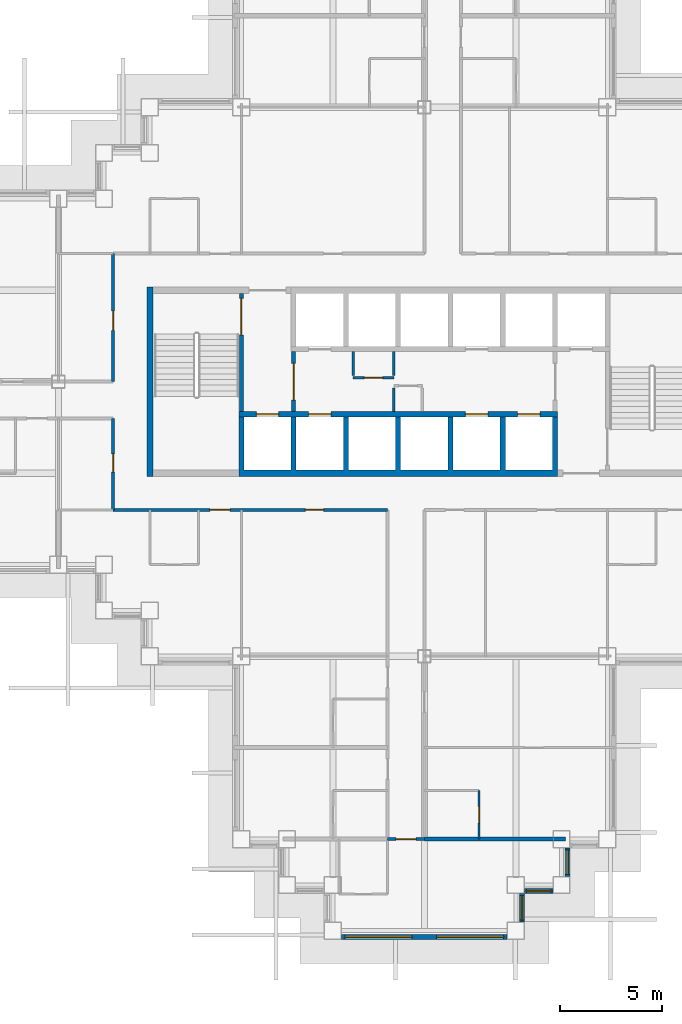
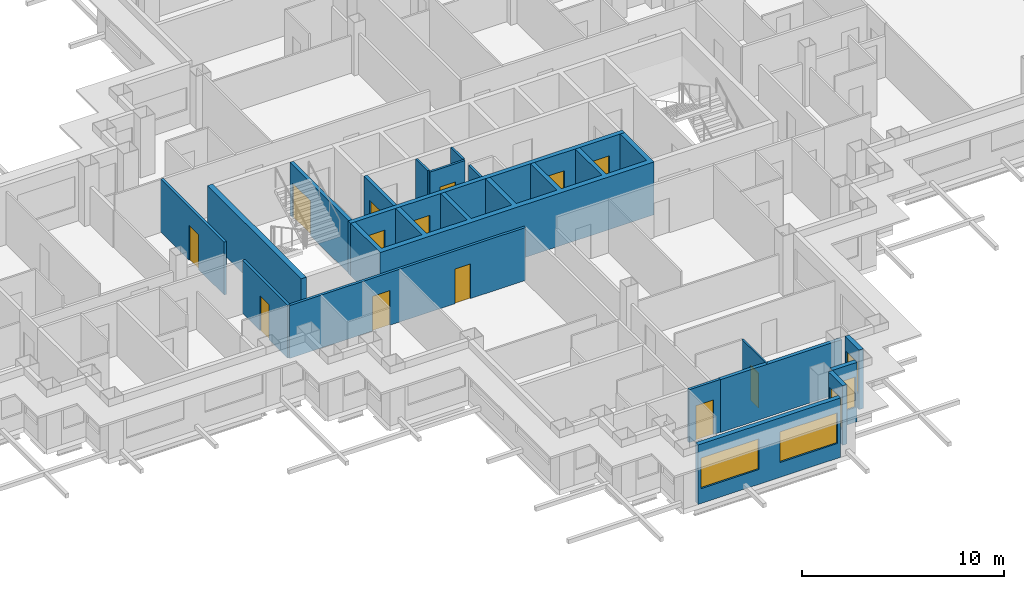
# One storey, part 6 of 17: 19 walls, 13 doors, 5 windows, 18 openings.
"""IFC4 building model written with IfcOpenShell, lengths in metres."""

from ifc_helpers import new_model, si_unit, direction, frame, frame_2d, origin, place, context, subcontext, project, spatial, polyline, rectangle, outline, extrude, material, layer, layer_set, type_object, element, fill, save


model = new_model("IFC4")

# Units and contexts
model_context = context("Model", 3, precision=1e-05, world=origin(), true_north=direction((0.0, 1.0)))
body_context = subcontext(model_context, "Body", "Model", "MODEL_VIEW")
ifc_project = project(units=[si_unit("LENGTHUNIT", "METRE"), si_unit("AREAUNIT", "SQUARE_METRE"), si_unit("VOLUMEUNIT", "CUBIC_METRE"), si_unit("PLANEANGLEUNIT", "RADIAN"), si_unit("MASSUNIT", "GRAM", prefix="KILO")], contexts=[model_context])

# Site, building, storey
site_placement = place(None, origin())
site = spatial("IfcSite", under=ifc_project, at=site_placement, CompositionType="ELEMENT")
building_placement = place(site_placement, origin())
building = spatial("IfcBuilding", under=site, at=building_placement, Name="Caravel Reach Hotel and Residences", CompositionType="ELEMENT")
storey_placement = place(building_placement, frame((0.0, 0.0, 136.800048828125)))
storey = spatial("IfcBuildingStorey", under=building, at=storey_placement, Name="L34", CompositionType="ELEMENT", Elevation=136.800048828125)

# Wall, opening, door
ifc_material_1 = material(Name="Gypsum board on steel stud", Category="steel")
ifc_layer_1 = layer(ifc_material_1, 0.10009765625)
ifc_layer_set_1 = layer_set([ifc_layer_1], Name="Bathroom pod wall 100 mm")
wall_type_1 = type_object("IfcWallType", Name="Bathroom pod wall 100 mm", PredefinedType="PARTITIONING", material=ifc_layer_set_1)
wall_1_placement = place(storey_placement, frame((34.199951171875, 4.5, 0.0), z_axis=(0.0, 0.0, 1.0), x_axis=(0.0, 1.0, 0.0)))
wall_1 = element("IfcWall", 1, at=wall_1_placement, inside=storey, type_object=wall_type_1, Name="L34 wall w112", PredefinedType="PARTITIONING", context=body_context, shape_type="SweptSolid", body=[
    extrude(rectangle(XDim=2.39990234375, YDim=0.10009765625, at=frame_2d((1.199951171875, 0.0))), origin(), (0.0, 0.0, 1.0), 3.199951171875),
])
opening_1_placement = place(wall_1_placement, frame((0.800048828125, 0.0, 0.0)))
opening_1 = element("IfcOpeningElement", 2, at=opening_1_placement, cuts=wall_1, Name="Opening D34-041", PredefinedType="OPENING", context=body_context, shape_type="SweptSolid", body=[
    extrude(rectangle(XDim=0.800048828125, YDim=2.10009765625, at=frame_2d((0.39990234375, 1.050048828125))), frame((0.0, 0.06005859375, 0.0), z_axis=(0.0, -1.0, 0.0), x_axis=(1.0, 0.0, 0.0)), (0.0, 0.0, 1.0), 0.1201171875),
])
ifc_material_2 = material(Name="Timber and steel door leaf", Category="steel")
door_type_1 = type_object("IfcDoorType", Name="Bathroom door 800 x 2100", OperationType="SINGLE_SWING_LEFT", PredefinedType="DOOR", material=ifc_material_2)
door_1_placement = place(opening_1_placement, origin())
door_1 = element("IfcDoor", 3, at=door_1_placement, inside=storey, type_object=door_type_1, Name="door D34-041", OperationType="SINGLE_SWING_LEFT", OverallHeight=2.10009765625, OverallWidth=0.800048828125, PredefinedType="DOOR", context=body_context, shape_type="SweptSolid", body=[
    extrude(rectangle(XDim=0.800048828125, YDim=2.10009765625, at=frame_2d((0.39990234375, 1.050048828125))), frame((0.0, 0.02490234375, 0.0), z_axis=(0.0, -1.0, 0.0), x_axis=(1.0, 0.0, 0.0)), (0.0, 0.0, 1.0), 0.050048828125),
])
fill(opening_1, door_1)

# Wall
ifc_material_3 = material(Name="Concrete C60", Category="concrete")
ifc_layer_2 = layer(ifc_material_3, 0.300048828125)
ifc_layer_set_2 = layer_set([ifc_layer_2], Name="Core wall 300 mm EI 120")
wall_type_2 = type_object("IfcWallType", Name="Core wall 300 mm EI 120", PredefinedType="SHEAR", material=ifc_layer_set_2)
wall_2_placement = place(storey_placement, frame((18.0, 22.35009765625, 0.0), z_axis=(0.0, 0.0, 1.0), x_axis=(0.0, 1.0, 0.0)))
element("IfcWall", 4, at=wall_2_placement, inside=storey, type_object=wall_type_2, Name="L34 core wall W", PredefinedType="SHEAR", context=body_context, shape_type="SweptSolid", body=[
    extrude(rectangle(XDim=9.2998046875, YDim=0.300048828125, at=frame_2d((4.64990234375, 0.0))), origin(), (0.0, 0.0, 1.0), 3.199951171875),
])

# Wall, openings, doors
ifc_material_4 = material(Name="Gypsum board on steel stud, fire-rated", Category="steel")
ifc_layer_3 = layer(ifc_material_4, 0.14990234375)
ifc_layer_set_3 = layer_set([ifc_layer_3], Name="Corridor wall 150 mm EI 60")
wall_type_3 = type_object("IfcWallType", Name="Corridor wall 150 mm EI 60", PredefinedType="PARTITIONING", material=ifc_layer_set_3)
wall_3_placement = place(storey_placement, frame((16.199951171875, 20.699951171875, 0.0), z_axis=(0.0, 0.0, 1.0), x_axis=(1.0, 0.0, 0.0)))
wall_3 = element("IfcWall", 5, at=wall_3_placement, inside=storey, type_object=wall_type_3, Name="L34 wall w001", PredefinedType="PARTITIONING", context=body_context, shape_type="SweptSolid", body=[
    extrude(rectangle(XDim=13.5, YDim=0.14990234375, at=frame_2d((6.75, 0.0))), origin(), (0.0, 0.0, 1.0), 3.199951171875),
])
opening_2_placement = place(wall_3_placement, frame((4.75, 0.0, 0.0)))
opening_2 = element("IfcOpeningElement", 6, at=opening_2_placement, cuts=wall_3, Name="Opening D34-052", PredefinedType="OPENING", context=body_context, shape_type="SweptSolid", body=[
    extrude(rectangle(XDim=1.0, YDim=2.10009765625, at=frame_2d((0.5, 1.050048828125))), frame((0.0, 0.0849609375, 0.0), z_axis=(0.0, -1.0, 0.0), x_axis=(1.0, 0.0, 0.0)), (0.0, 0.0, 1.0), 0.169921875),
])
opening_3_placement = place(wall_3_placement, frame((9.449951171875, 0.0, 0.0)))
opening_3 = element("IfcOpeningElement", 7, at=opening_3_placement, cuts=wall_3, Name="Opening D34-060", PredefinedType="OPENING", context=body_context, shape_type="SweptSolid", body=[
    extrude(rectangle(XDim=0.89990234375, YDim=2.10009765625, at=frame_2d((0.449951171875, 1.050048828125))), frame((0.0, 0.0849609375, 0.0), z_axis=(0.0, -1.0, 0.0), x_axis=(1.0, 0.0, 0.0)), (0.0, 0.0, 1.0), 0.169921875),
])
ifc_material_5 = material(Name="Timber and steel door leaf", Category="steel")
door_type_2 = type_object("IfcDoorType", Name="Door 900 x 2100 timber", OperationType="SINGLE_SWING_LEFT", PredefinedType="DOOR", material=ifc_material_5)
door_2_placement = place(opening_3_placement, origin())
door_2 = element("IfcDoor", 8, at=door_2_placement, inside=storey, type_object=door_type_2, Name="door D34-060", OperationType="SINGLE_SWING_RIGHT", OverallHeight=2.10009765625, OverallWidth=0.89990234375, PredefinedType="DOOR", context=body_context, shape_type="SweptSolid", body=[
    extrude(rectangle(XDim=0.89990234375, YDim=2.10009765625, at=frame_2d((0.449951171875, 1.050048828125))), frame((0.0, 0.02490234375, 0.0), z_axis=(0.0, -1.0, 0.0), x_axis=(1.0, 0.0, 0.0)), (0.0, 0.0, 1.0), 0.050048828125),
])
fill(opening_3, door_2)
ifc_material_6 = material(Name="Steel fire door leaf", Category="steel")
door_type_3 = type_object("IfcDoorType", Name="Guest room door 1000 x 2100 EI 30", OperationType="SINGLE_SWING_LEFT", PredefinedType="DOOR", material=ifc_material_6)
door_3_placement = place(opening_2_placement, origin())
door_3 = element("IfcDoor", 9, at=door_3_placement, inside=storey, type_object=door_type_3, Name="door D34-052", OperationType="SINGLE_SWING_RIGHT", OverallHeight=2.10009765625, OverallWidth=1.0, PredefinedType="DOOR", context=body_context, shape_type="SweptSolid", body=[
    extrude(rectangle(XDim=1.0, YDim=2.10009765625, at=frame_2d((0.5, 1.050048828125))), frame((0.0, 0.02490234375, 0.0), z_axis=(0.0, -1.0, 0.0), x_axis=(1.0, 0.0, 0.0)), (0.0, 0.0, 1.0), 0.050048828125),
])
fill(opening_2, door_3)

# Wall, opening, door
wall_4_placement = place(storey_placement, frame((29.699951171875, 4.5, 0.0), z_axis=(0.0, 0.0, 1.0), x_axis=(1.0, 0.0, 0.0)))
wall_4 = element("IfcWall", 10, at=wall_4_placement, inside=storey, type_object=wall_type_3, Name="L34 wall w022", PredefinedType="PARTITIONING", context=body_context, shape_type="SweptSolid", body=[
    extrude(rectangle(XDim=1.800048828125, YDim=0.14990234375, at=frame_2d((0.89990234375, 0.0))), origin(), (0.0, 0.0, 1.0), 3.199951171875),
])
opening_4_placement = place(wall_4_placement, frame((0.39990234375, 0.0, 0.0)))
opening_4 = element("IfcOpeningElement", 11, at=opening_4_placement, cuts=wall_4, Name="Opening D34-046", PredefinedType="OPENING", context=body_context, shape_type="SweptSolid", body=[
    extrude(rectangle(XDim=1.0, YDim=2.10009765625, at=frame_2d((0.5, 1.050048828125))), frame((0.0, 0.0849609375, 0.0), z_axis=(0.0, -1.0, 0.0), x_axis=(1.0, 0.0, 0.0)), (0.0, 0.0, 1.0), 0.169921875),
])
door_4_placement = place(opening_4_placement, origin())
door_4 = element("IfcDoor", 12, at=door_4_placement, inside=storey, type_object=door_type_3, Name="door D34-046", OperationType="SINGLE_SWING_RIGHT", OverallHeight=2.10009765625, OverallWidth=1.0, PredefinedType="DOOR", context=body_context, shape_type="SweptSolid", body=[
    extrude(rectangle(XDim=1.0, YDim=2.10009765625, at=frame_2d((0.5, 1.050048828125))), frame((0.0, 0.02490234375, 0.0), z_axis=(0.0, -1.0, 0.0), x_axis=(1.0, 0.0, 0.0)), (0.0, 0.0, 1.0), 0.050048828125),
])
fill(opening_4, door_4)

wall_5_placement = place(storey_placement, frame((16.199951171875, 27.0, 0.0), z_axis=(0.0, 0.0, 1.0), x_axis=(0.0, 1.0, 0.0)))
wall_5 = element("IfcWall", 13, at=wall_5_placement, inside=storey, type_object=wall_type_3, Name="L34 wall w024", PredefinedType="PARTITIONING", context=body_context, shape_type="SweptSolid", body=[
    extrude(rectangle(XDim=6.300048828125, YDim=0.14990234375, at=frame_2d((3.14990234375, 0.0))), origin(), (0.0, 0.0, 1.0), 3.199951171875),
])
opening_5_placement = place(wall_5_placement, frame((2.52490234375, 0.0, 0.0)))
opening_5 = element("IfcOpeningElement", 14, at=opening_5_placement, cuts=wall_5, Name="Opening D34-064", PredefinedType="OPENING", context=body_context, shape_type="SweptSolid", body=[
    extrude(rectangle(XDim=0.949951171875, YDim=2.10009765625, at=frame_2d((0.47509765625, 1.050048828125))), frame((0.0, 0.0849609375, 0.0), z_axis=(0.0, -1.0, 0.0), x_axis=(1.0, 0.0, 0.0)), (0.0, 0.0, 1.0), 0.169921875),
])
ifc_material_7 = material(Name="Timber and steel door leaf", Category="steel")
door_type_4 = type_object("IfcDoorType", Name="Accessible WC door 950 x 2100", OperationType="SINGLE_SWING_LEFT", PredefinedType="DOOR", material=ifc_material_7)
door_5_placement = place(opening_5_placement, origin())
door_5 = element("IfcDoor", 15, at=door_5_placement, inside=storey, type_object=door_type_4, Name="door D34-064", OperationType="SINGLE_SWING_LEFT", OverallHeight=2.10009765625, OverallWidth=0.949951171875, PredefinedType="DOOR", context=body_context, shape_type="SweptSolid", body=[
    extrude(rectangle(XDim=0.949951171875, YDim=2.10009765625, at=frame_2d((0.47509765625, 1.050048828125))), frame((0.0, 0.02490234375, 0.0), z_axis=(0.0, -1.0, 0.0), x_axis=(1.0, 0.0, 0.0)), (0.0, 0.0, 1.0), 0.050048828125),
])
fill(opening_5, door_5)

wall_6_placement = place(storey_placement, frame((16.199951171875, 20.699951171875, 0.0), z_axis=(0.0, 0.0, 1.0), x_axis=(0.0, 1.0, 0.0)))
wall_6 = element("IfcWall", 16, at=wall_6_placement, inside=storey, type_object=wall_type_3, Name="L34 wall w025", PredefinedType="PARTITIONING", context=body_context, shape_type="SweptSolid", body=[
    extrude(rectangle(XDim=4.5, YDim=0.14990234375, at=frame_2d((2.25, 0.0))), origin(), (0.0, 0.0, 1.0), 3.199951171875),
])
opening_6_placement = place(wall_6_placement, frame((1.85009765625, 0.0, 0.0)))
opening_6 = element("IfcOpeningElement", 17, at=opening_6_placement, cuts=wall_6, Name="Opening D34-063", PredefinedType="OPENING", context=body_context, shape_type="SweptSolid", body=[
    extrude(rectangle(XDim=0.89990234375, YDim=2.10009765625, at=frame_2d((0.449951171875, 1.050048828125))), frame((0.0, 0.0849609375, 0.0), z_axis=(0.0, -1.0, 0.0), x_axis=(1.0, 0.0, 0.0)), (0.0, 0.0, 1.0), 0.169921875),
])
door_6_placement = place(opening_6_placement, origin())
door_6 = element("IfcDoor", 18, at=door_6_placement, inside=storey, type_object=door_type_2, Name="door D34-063", OperationType="SINGLE_SWING_LEFT", OverallHeight=2.10009765625, OverallWidth=0.89990234375, PredefinedType="DOOR", context=body_context, shape_type="SweptSolid", body=[
    extrude(rectangle(XDim=0.89990234375, YDim=2.10009765625, at=frame_2d((0.449951171875, 1.050048828125))), frame((0.0, 0.02490234375, 0.0), z_axis=(0.0, -1.0, 0.0), x_axis=(1.0, 0.0, 0.0)), (0.0, 0.0, 1.0), 0.050048828125),
])
fill(opening_6, door_6)

# Wall, openings, windows
ifc_material_8 = material(Name="Insulated rainscreen wall, aluminium cladding", Category="aluminium")
ifc_layer_4 = layer(ifc_material_8, 0.25)
ifc_layer_set_4 = layer_set([ifc_layer_4], Name="EW1 Tower rainscreen wall")
wall_type_4 = type_object("IfcWallType", Name="EW1 Tower rainscreen wall", PredefinedType="SOLIDWALL", material=ifc_layer_set_4)
wall_7_placement = place(storey_placement, frame((27.425048828125, -0.300048828125, 0.0), z_axis=(0.0, 0.0, 1.0), x_axis=(1.0, 0.0, 0.0)))
wall_7 = element("IfcWall", 19, at=wall_7_placement, inside=storey, type_object=wall_type_4, Name="External wall L34 S5.1", PredefinedType="SOLIDWALL", context=body_context, shape_type="SweptSolid", body=[
    extrude(rectangle(XDim=8.14990234375, YDim=0.25, at=frame_2d((4.074951171875, 0.0))), origin(), (0.0, 0.0, 1.0), 3.599853515625),
])
opening_7_placement = place(wall_7_placement, frame((0.175048828125, 0.0, 0.89990234375)))
opening_7 = element("IfcOpeningElement", 20, at=opening_7_placement, cuts=wall_7, Name="Opening WN7", PredefinedType="OPENING", context=body_context, shape_type="SweptSolid", body=[
    extrude(rectangle(XDim=3.300048828125, YDim=1.85009765625, at=frame_2d((1.64990234375, 0.925048828125))), frame((0.0, 0.135009765625, 0.0), z_axis=(0.0, -1.0, 0.0), x_axis=(1.0, 0.0, 0.0)), (0.0, 0.0, 1.0), 0.27001953125),
])
opening_8_placement = place(wall_7_placement, frame((4.675048828125, 0.0, 0.89990234375)))
opening_8 = element("IfcOpeningElement", 21, at=opening_8_placement, cuts=wall_7, Name="Opening WN7", PredefinedType="OPENING", context=body_context, shape_type="SweptSolid", body=[
    extrude(rectangle(XDim=3.300048828125, YDim=1.85009765625, at=frame_2d((1.64990234375, 0.925048828125))), frame((0.0, 0.135009765625, 0.0), z_axis=(0.0, -1.0, 0.0), x_axis=(1.0, 0.0, 0.0)), (0.0, 0.0, 1.0), 0.27001953125),
])
ifc_material_9 = material(Name="Dark low-e glazing in black aluminium frame", Category="aluminium")
window_type_1 = type_object("IfcWindowType", Name="Hotel guest room window 3300 x 1850", PartitioningType="SINGLE_PANEL", PredefinedType="WINDOW", material=ifc_material_9)
window_1_placement = place(opening_7_placement, origin())
window_1 = element("IfcWindow", 22, at=window_1_placement, inside=storey, type_object=window_type_1, Name="Window L34 S5.1.1", OverallHeight=1.85009765625, OverallWidth=3.300048828125, PartitioningType="SINGLE_PANEL", PredefinedType="WINDOW", context=body_context, shape_type="SweptSolid", body=[
    extrude(rectangle(XDim=3.300048828125, YDim=1.85009765625, at=frame_2d((1.64990234375, 0.925048828125))), frame((0.0, 0.030029296875, 0.0), z_axis=(0.0, -1.0, 0.0), x_axis=(1.0, 0.0, 0.0)), (0.0, 0.0, 1.0), 0.06005859375),
])
fill(opening_7, window_1)
window_2_placement = place(opening_8_placement, origin())
window_2 = element("IfcWindow", 23, at=window_2_placement, inside=storey, type_object=window_type_1, Name="Window L34 S5.1.2", OverallHeight=1.85009765625, OverallWidth=3.300048828125, PartitioningType="SINGLE_PANEL", PredefinedType="WINDOW", context=body_context, shape_type="SweptSolid", body=[
    extrude(rectangle(XDim=3.300048828125, YDim=1.85009765625, at=frame_2d((1.64990234375, 0.925048828125))), frame((0.0, 0.030029296875, 0.0), z_axis=(0.0, -1.0, 0.0), x_axis=(1.0, 0.0, 0.0)), (0.0, 0.0, 1.0), 0.06005859375),
])
fill(opening_8, window_2)

# Wall, opening, window
wall_8_placement = place(storey_placement, frame((36.300048828125, 0.425048828125, 0.0), z_axis=(0.0, 0.0, 1.0), x_axis=(0.0, 1.0, 0.0)))
wall_8 = element("IfcWall", 24, at=wall_8_placement, inside=storey, type_object=wall_type_4, Name="External wall L34 E6.1", PredefinedType="SOLIDWALL", context=body_context, shape_type="SweptSolid", body=[
    extrude(rectangle(XDim=1.39990234375, YDim=0.25, at=frame_2d((0.699951171875, 0.0))), origin(), (0.0, 0.0, 1.0), 3.599853515625),
])
opening_9_placement = place(wall_8_placement, frame((0.10009765625, 0.0, 0.89990234375)))
opening_9 = element("IfcOpeningElement", 25, at=opening_9_placement, cuts=wall_8, Name="Opening WN10", PredefinedType="OPENING", context=body_context, shape_type="SweptSolid", body=[
    extrude(rectangle(XDim=1.199951171875, YDim=1.85009765625, at=frame_2d((0.60009765625, 0.925048828125))), frame((0.0, 0.135009765625, 0.0), z_axis=(0.0, -1.0, 0.0), x_axis=(1.0, 0.0, 0.0)), (0.0, 0.0, 1.0), 0.27001953125),
])
ifc_material_10 = material(Name="Dark low-e glazing in black aluminium frame", Category="aluminium")
window_type_2 = type_object("IfcWindowType", Name="Hotel suite corner window 1200 x 1850", PartitioningType="SINGLE_PANEL", PredefinedType="WINDOW", material=ifc_material_10)
window_3_placement = place(opening_9_placement, origin())
window_3 = element("IfcWindow", 26, at=window_3_placement, inside=storey, type_object=window_type_2, Name="Window L34 E6.1.1", OverallHeight=1.85009765625, OverallWidth=1.199951171875, PartitioningType="SINGLE_PANEL", PredefinedType="WINDOW", context=body_context, shape_type="SweptSolid", body=[
    extrude(rectangle(XDim=1.199951171875, YDim=1.85009765625, at=frame_2d((0.60009765625, 0.925048828125))), frame((0.0, 0.030029296875, 0.0), z_axis=(0.0, -1.0, 0.0), x_axis=(1.0, 0.0, 0.0)), (0.0, 0.0, 1.0), 0.06005859375),
])
fill(opening_9, window_3)

wall_9_placement = place(storey_placement, frame((36.425048828125, 1.949951171875, 0.0), z_axis=(0.0, 0.0, 1.0), x_axis=(1.0, 0.0, 0.0)))
wall_9 = element("IfcWall", 27, at=wall_9_placement, inside=storey, type_object=wall_type_4, Name="External wall L34 S7.1", PredefinedType="SOLIDWALL", context=body_context, shape_type="SweptSolid", body=[
    extrude(rectangle(XDim=1.39990234375, YDim=0.25, at=frame_2d((0.699951171875, 0.0))), origin(), (0.0, 0.0, 1.0), 3.599853515625),
])
opening_10_placement = place(wall_9_placement, frame((0.10009765625, 0.0, 0.89990234375)))
opening_10 = element("IfcOpeningElement", 28, at=opening_10_placement, cuts=wall_9, Name="Opening WN10", PredefinedType="OPENING", context=body_context, shape_type="SweptSolid", body=[
    extrude(rectangle(XDim=1.199951171875, YDim=1.85009765625, at=frame_2d((0.60009765625, 0.925048828125))), frame((0.0, 0.135009765625, 0.0), z_axis=(0.0, -1.0, 0.0), x_axis=(1.0, 0.0, 0.0)), (0.0, 0.0, 1.0), 0.27001953125),
])
window_4_placement = place(opening_10_placement, origin())
window_4 = element("IfcWindow", 29, at=window_4_placement, inside=storey, type_object=window_type_2, Name="Window L34 S7.1.1", OverallHeight=1.85009765625, OverallWidth=1.199951171875, PartitioningType="SINGLE_PANEL", PredefinedType="WINDOW", context=body_context, shape_type="SweptSolid", body=[
    extrude(rectangle(XDim=1.199951171875, YDim=1.85009765625, at=frame_2d((0.60009765625, 0.925048828125))), frame((0.0, 0.030029296875, 0.0), z_axis=(0.0, -1.0, 0.0), x_axis=(1.0, 0.0, 0.0)), (0.0, 0.0, 1.0), 0.06005859375),
])
fill(opening_10, window_4)

wall_10_placement = place(storey_placement, frame((38.550048828125, 2.675048828125, 0.0), z_axis=(0.0, 0.0, 1.0), x_axis=(0.0, 1.0, 0.0)))
wall_10 = element("IfcWall", 30, at=wall_10_placement, inside=storey, type_object=wall_type_4, Name="External wall L34 E8.1", PredefinedType="SOLIDWALL", context=body_context, shape_type="SweptSolid", body=[
    extrude(rectangle(XDim=1.39990234375, YDim=0.25, at=frame_2d((0.699951171875, 0.0))), origin(), (0.0, 0.0, 1.0), 3.599853515625),
])
opening_11_placement = place(wall_10_placement, frame((0.10009765625, 0.0, 0.89990234375)))
opening_11 = element("IfcOpeningElement", 31, at=opening_11_placement, cuts=wall_10, Name="Opening WN10", PredefinedType="OPENING", context=body_context, shape_type="SweptSolid", body=[
    extrude(rectangle(XDim=1.199951171875, YDim=1.85009765625, at=frame_2d((0.60009765625, 0.925048828125))), frame((0.0, 0.135009765625, 0.0), z_axis=(0.0, -1.0, 0.0), x_axis=(1.0, 0.0, 0.0)), (0.0, 0.0, 1.0), 0.27001953125),
])
window_5_placement = place(opening_11_placement, origin())
window_5 = element("IfcWindow", 32, at=window_5_placement, inside=storey, type_object=window_type_2, Name="Window L34 E8.1.1", OverallHeight=1.85009765625, OverallWidth=1.199951171875, PartitioningType="SINGLE_PANEL", PredefinedType="WINDOW", context=body_context, shape_type="SweptSolid", body=[
    extrude(rectangle(XDim=1.199951171875, YDim=1.85009765625, at=frame_2d((0.60009765625, 0.925048828125))), frame((0.0, 0.030029296875, 0.0), z_axis=(0.0, -1.0, 0.0), x_axis=(1.0, 0.0, 0.0)), (0.0, 0.0, 1.0), 0.06005859375),
])
fill(opening_11, window_5)

# Wall, opening, door
ifc_material_11 = material(Name="Autoclaved aerated block wall")
ifc_layer_5 = layer(ifc_material_11, 0.199951171875)
ifc_layer_set_5 = layer_set([ifc_layer_5], Name="Fire lobby wall 200 mm EI 120")
wall_type_5 = type_object("IfcWallType", Name="Fire lobby wall 200 mm EI 120", PredefinedType="PARTITIONING", material=ifc_layer_set_5)
wall_11_placement = place(storey_placement, frame((25.071533203125, 25.52490234375, 0.0), z_axis=(0.0, 0.0, 1.0), x_axis=(0.0, 1.0, 0.0)))
wall_11 = element("IfcWall", 33, at=wall_11_placement, inside=storey, type_object=wall_type_5, Name="L34 lobby W wall", PredefinedType="PARTITIONING", context=body_context, shape_type="SweptSolid", body=[
    extrude(rectangle(XDim=2.9501953125, YDim=0.199951171875, at=frame_2d((1.47509765625, 0.0))), origin(), (0.0, 0.0, 1.0), 3.199951171875),
])
opening_12_placement = place(wall_11_placement, frame((0.574951171875, 0.0, 0.0)))
opening_12 = element("IfcOpeningElement", 34, at=opening_12_placement, cuts=wall_11, Name="Opening D34-012", PredefinedType="OPENING", context=body_context, shape_type="SweptSolid", body=[
    extrude(rectangle(XDim=1.800048828125, YDim=2.10009765625, at=frame_2d((0.89990234375, 1.050048828125))), frame((0.0, 0.10986328125, 0.0), z_axis=(0.0, -1.0, 0.0), x_axis=(1.0, 0.0, 0.0)), (0.0, 0.0, 1.0), 0.219970703125),
])
ifc_material_12 = material(Name="Steel fire door leaf", Category="steel")
door_type_5 = type_object("IfcDoorType", Name="Fire lobby door pair 1800 x 2100 EI 90", OperationType="DOUBLE_DOOR_SINGLE_SWING", PredefinedType="DOOR", material=ifc_material_12)
door_7_placement = place(opening_12_placement, origin())
door_7 = element("IfcDoor", 35, at=door_7_placement, inside=storey, type_object=door_type_5, Name="lobby W door pair", OperationType="DOUBLE_DOOR_SINGLE_SWING", OverallHeight=2.10009765625, OverallWidth=1.800048828125, PredefinedType="DOOR", context=body_context, shape_type="SweptSolid", body=[
    extrude(rectangle(XDim=1.800048828125, YDim=2.10009765625, at=frame_2d((0.89990234375, 1.050048828125))), frame((0.0, 0.02490234375, 0.0), z_axis=(0.0, -1.0, 0.0), x_axis=(1.0, 0.0, 0.0)), (0.0, 0.0, 1.0), 0.050048828125),
])
fill(opening_12, door_7)

# Walls
ifc_material_13 = material(Name="Autoclaved aerated block wall")
ifc_layer_6 = layer(ifc_material_13, 0.199951171875)
ifc_layer_set_6 = layer_set([ifc_layer_6], Name="Party wall 200 mm EI 60")
wall_type_6 = type_object("IfcWallType", Name="Party wall 200 mm EI 60", PredefinedType="PARTITIONING", material=ifc_layer_set_6)
wall_12_placement = place(storey_placement, frame((31.5, 4.5, 0.0), z_axis=(0.0, 0.0, 1.0), x_axis=(1.0, 0.0, 0.0)))
element("IfcWall", 36, at=wall_12_placement, inside=storey, type_object=wall_type_6, Name="L34 wall w071", PredefinedType="PARTITIONING", context=body_context, shape_type="SweptSolid", body=[
    extrude(rectangle(XDim=6.93994140625, YDim=0.199951171875, at=frame_2d((3.469970703125, 0.0))), origin(), (0.0, 0.0, 1.0), 3.199951171875),
])
ifc_material_14 = material(Name="Autoclaved aerated block wall")
ifc_layer_7 = layer(ifc_material_14, 0.125)
ifc_layer_set_7 = layer_set([ifc_layer_7], Name="Riser wall 125 mm EI 60")
wall_type_7 = type_object("IfcWallType", Name="Riser wall 125 mm EI 60", PredefinedType="PARTITIONING", material=ifc_layer_set_7)
wall_13_placement = place(storey_placement, frame((30.0, 25.52490234375, 0.0), z_axis=(0.0, 0.0, 1.0), x_axis=(0.0, 1.0, 0.0)))
element("IfcWall", 37, at=wall_13_placement, inside=storey, type_object=wall_type_7, Name="L34 service room partition S1", PredefinedType="PARTITIONING", context=body_context, shape_type="SweptSolid", body=[
    extrude(rectangle(XDim=1.175048828125, YDim=0.125, at=frame_2d((0.58740234375, 0.0))), origin(), (0.0, 0.0, 1.0), 3.199951171875),
])

# Wall, opening, door
wall_14_placement = place(storey_placement, frame((28.0, 27.199951171875, 0.0), z_axis=(0.0, 0.0, 1.0), x_axis=(1.0, 0.0, 0.0)))
wall_14 = element("IfcWall", 38, at=wall_14_placement, inside=storey, type_object=wall_type_7, Name="L34 service room wall N1", PredefinedType="PARTITIONING", context=body_context, shape_type="SweptSolid", body=[
    extrude(rectangle(XDim=2.0, YDim=0.125, at=frame_2d((1.0, 0.0))), origin(), (0.0, 0.0, 1.0), 3.199951171875),
])
opening_13_placement = place(wall_14_placement, frame((0.550048828125, 0.0, 0.0)))
opening_13 = element("IfcOpeningElement", 39, at=opening_13_placement, cuts=wall_14, Name="Opening D34-009", PredefinedType="OPENING", context=body_context, shape_type="SweptSolid", body=[
    extrude(rectangle(XDim=0.89990234375, YDim=2.10009765625, at=frame_2d((0.449951171875, 1.050048828125))), frame((0.0, 0.072509765625, 0.0), z_axis=(0.0, -1.0, 0.0), x_axis=(1.0, 0.0, 0.0)), (0.0, 0.0, 1.0), 0.14501953125),
])
ifc_material_15 = material(Name="Steel fire door leaf", Category="steel")
door_type_6 = type_object("IfcDoorType", Name="Riser door 900 x 2100 EI 60", OperationType="SINGLE_SWING_LEFT", PredefinedType="DOOR", material=ifc_material_15)
door_8_placement = place(opening_13_placement, origin())
door_8 = element("IfcDoor", 40, at=door_8_placement, inside=storey, type_object=door_type_6, Name="Spa linen store door", OperationType="SINGLE_SWING_LEFT", OverallHeight=2.10009765625, OverallWidth=0.89990234375, PredefinedType="DOOR", context=body_context, shape_type="SweptSolid", body=[
    extrude(rectangle(XDim=0.89990234375, YDim=2.10009765625, at=frame_2d((0.449951171875, 1.050048828125))), frame((0.0, 0.02490234375, 0.0), z_axis=(0.0, -1.0, 0.0), x_axis=(1.0, 0.0, 0.0)), (0.0, 0.0, 1.0), 0.050048828125),
])
fill(opening_13, door_8)

# Walls
for number, where, z_axis, x_axis, name in (
    (41, (28.0, 28.47509765625, 0.0), (0.0, 0.0, 1.0), (0.0, -1.0, 0.0), "L34 service room partition N1"),
    (42, (30.0, 28.47509765625, 0.0), (0.0, 0.0, 1.0), (0.0, -1.0, 0.0), "L34 service room partition N1"),
):
    element("IfcWall", number, at=place(storey_placement, frame(where, z_axis=z_axis, x_axis=x_axis)), inside=storey, type_object=wall_type_7, Name=name, PredefinedType="PARTITIONING", context=body_context, shape_type="SweptSolid", body=[
        extrude(rectangle(XDim=1.175048828125, YDim=0.125, at=frame_2d((0.58740234375, 0.0))), origin(), (0.0, 0.0, 1.0), 3.199951171875),
    ])
ifc_material_16 = material(Name="Concrete C60", Category="concrete")
ifc_layer_8 = layer(ifc_material_16, 0.25)
ifc_layer_set_8 = layer_set([ifc_layer_8], Name="Shaft wall 250 mm EI 120")
wall_type_8 = type_object("IfcWallType", Name="Shaft wall 250 mm EI 120", PredefinedType="SHEAR", material=ifc_layer_set_8)
wall_15_placement = place(storey_placement, origin())
element("IfcWall", 43, at=wall_15_placement, inside=storey, type_object=wall_type_8, Name="L34 lift shaft wall S1", PredefinedType="SHEAR", context=body_context, shape_type="SweptSolid", body=[
    extrude(outline(polyline([(22.375, 22.35009765625), (38.053466796875, 22.35009765625), (38.053466796875, 25.27490234375), (37.803466796875, 25.27490234375), (37.803466796875, 22.64990234375), (35.482177734375, 22.64990234375), (35.482177734375, 25.27490234375), (35.232177734375, 25.27490234375), (35.232177734375, 22.64990234375), (32.91064453125, 22.64990234375), (32.91064453125, 25.27490234375), (32.66064453125, 25.27490234375), (32.66064453125, 22.64990234375), (30.33935546875, 22.64990234375), (30.33935546875, 25.27490234375), (30.08935546875, 25.27490234375), (30.08935546875, 22.64990234375), (27.767822265625, 22.64990234375), (27.767822265625, 25.27490234375), (27.517822265625, 25.27490234375), (27.517822265625, 22.64990234375), (25.196533203125, 22.64990234375), (25.196533203125, 25.27490234375), (24.946533203125, 25.27490234375), (24.946533203125, 22.64990234375), (22.625, 22.64990234375), (22.625, 25.27490234375), (22.375, 25.27490234375), (22.375, 22.35009765625)])), origin(), (0.0, 0.0, 1.0), 3.199951171875),
])

# Wall, openings, doors
wall_16_placement = place(storey_placement, frame((22.375, 25.39990234375, 0.0), z_axis=(0.0, 0.0, 1.0), x_axis=(1.0, 0.0, 0.0)))
wall_16 = element("IfcWall", 44, at=wall_16_placement, inside=storey, type_object=wall_type_8, Name="L34 lobby wall S1", PredefinedType="SHEAR", context=body_context, shape_type="SweptSolid", body=[
    extrude(rectangle(XDim=15.678466796875, YDim=0.25, at=frame_2d((7.83935546875, 0.0))), origin(), (0.0, 0.0, 1.0), 3.199951171875),
])
opening_14_placement = place(wall_16_placement, frame((3.43212890625, 0.0, 0.0)))
opening_14 = element("IfcOpeningElement", 45, at=opening_14_placement, cuts=wall_16, Name="Opening D34-001", PredefinedType="OPENING", context=body_context, shape_type="SweptSolid", body=[
    extrude(rectangle(XDim=1.10009765625, YDim=2.10009765625, at=frame_2d((0.550048828125, 1.050048828125))), frame((0.0, 0.135009765625, 0.0), z_axis=(0.0, -1.0, 0.0), x_axis=(1.0, 0.0, 0.0)), (0.0, 0.0, 1.0), 0.27001953125),
])
opening_15_placement = place(wall_16_placement, frame((11.146484375, 0.0, 0.0)))
opening_15 = element("IfcOpeningElement", 46, at=opening_15_placement, cuts=wall_16, Name="Opening D34-002", PredefinedType="OPENING", context=body_context, shape_type="SweptSolid", body=[
    extrude(rectangle(XDim=1.10009765625, YDim=2.10009765625, at=frame_2d((0.550048828125, 1.050048828125))), frame((0.0, 0.135009765625, 0.0), z_axis=(0.0, -1.0, 0.0), x_axis=(1.0, 0.0, 0.0)), (0.0, 0.0, 1.0), 0.27001953125),
])
opening_16_placement = place(wall_16_placement, frame((13.718017578125, 0.0, 0.0)))
opening_16 = element("IfcOpeningElement", 47, at=opening_16_placement, cuts=wall_16, Name="Opening D34-003", PredefinedType="OPENING", context=body_context, shape_type="SweptSolid", body=[
    extrude(rectangle(XDim=1.10009765625, YDim=2.10009765625, at=frame_2d((0.550048828125, 1.050048828125))), frame((0.0, 0.135009765625, 0.0), z_axis=(0.0, -1.0, 0.0), x_axis=(1.0, 0.0, 0.0)), (0.0, 0.0, 1.0), 0.27001953125),
])
opening_17_placement = place(wall_16_placement, frame((0.860595703125, 0.0, 0.0)))
opening_17 = element("IfcOpeningElement", 48, at=opening_17_placement, cuts=wall_16, Name="Opening D34-006", PredefinedType="OPENING", context=body_context, shape_type="SweptSolid", body=[
    extrude(rectangle(XDim=1.10009765625, YDim=2.10009765625, at=frame_2d((0.550048828125, 1.050048828125))), frame((0.0, 0.135009765625, 0.0), z_axis=(0.0, -1.0, 0.0), x_axis=(1.0, 0.0, 0.0)), (0.0, 0.0, 1.0), 0.27001953125),
])
ifc_material_17 = material(Name="Stainless steel landing door", Category="steel")
door_type_7 = type_object("IfcDoorType", Name="Landing door LD 1100 x 2100 sliding", OperationType="DOUBLE_DOOR_SLIDING", PredefinedType="DOOR", material=ifc_material_17)
door_9_placement = place(opening_14_placement, origin())
door_9 = element("IfcDoor", 49, at=door_9_placement, inside=storey, type_object=door_type_7, Name="LP1 landing door", OperationType="DOUBLE_DOOR_SLIDING", OverallHeight=2.10009765625, OverallWidth=1.10009765625, PredefinedType="DOOR", context=body_context, shape_type="SweptSolid", body=[
    extrude(rectangle(XDim=1.10009765625, YDim=2.10009765625, at=frame_2d((0.550048828125, 1.050048828125))), frame((0.0, 0.02490234375, 0.0), z_axis=(0.0, -1.0, 0.0), x_axis=(1.0, 0.0, 0.0)), (0.0, 0.0, 1.0), 0.050048828125),
])
fill(opening_14, door_9)
door_10_placement = place(opening_15_placement, origin())
door_10 = element("IfcDoor", 50, at=door_10_placement, inside=storey, type_object=door_type_7, Name="LP2 landing door", OperationType="DOUBLE_DOOR_SLIDING", OverallHeight=2.10009765625, OverallWidth=1.10009765625, PredefinedType="DOOR", context=body_context, shape_type="SweptSolid", body=[
    extrude(rectangle(XDim=1.10009765625, YDim=2.10009765625, at=frame_2d((0.550048828125, 1.050048828125))), frame((0.0, 0.02490234375, 0.0), z_axis=(0.0, -1.0, 0.0), x_axis=(1.0, 0.0, 0.0)), (0.0, 0.0, 1.0), 0.050048828125),
])
fill(opening_15, door_10)
door_11_placement = place(opening_16_placement, origin())
door_11 = element("IfcDoor", 51, at=door_11_placement, inside=storey, type_object=door_type_7, Name="LP3 landing door", OperationType="DOUBLE_DOOR_SLIDING", OverallHeight=2.10009765625, OverallWidth=1.10009765625, PredefinedType="DOOR", context=body_context, shape_type="SweptSolid", body=[
    extrude(rectangle(XDim=1.10009765625, YDim=2.10009765625, at=frame_2d((0.550048828125, 1.050048828125))), frame((0.0, 0.02490234375, 0.0), z_axis=(0.0, -1.0, 0.0), x_axis=(1.0, 0.0, 0.0)), (0.0, 0.0, 1.0), 0.050048828125),
])
fill(opening_16, door_11)
door_12_placement = place(opening_17_placement, origin())
door_12 = element("IfcDoor", 52, at=door_12_placement, inside=storey, type_object=door_type_7, Name="FL1 landing door", OperationType="DOUBLE_DOOR_SLIDING", OverallHeight=2.10009765625, OverallWidth=1.10009765625, PredefinedType="DOOR", context=body_context, shape_type="SweptSolid", body=[
    extrude(rectangle(XDim=1.10009765625, YDim=2.10009765625, at=frame_2d((0.550048828125, 1.050048828125))), frame((0.0, 0.02490234375, 0.0), z_axis=(0.0, -1.0, 0.0), x_axis=(1.0, 0.0, 0.0)), (0.0, 0.0, 1.0), 0.050048828125),
])
fill(opening_17, door_12)

# Wall, opening, door
ifc_material_18 = material(Name="Concrete C60", Category="concrete")
ifc_layer_9 = layer(ifc_material_18, 0.199951171875)
ifc_layer_set_9 = layer_set([ifc_layer_9], Name="Stair enclosure wall 200 mm EI 120")
wall_type_9 = type_object("IfcWallType", Name="Stair enclosure wall 200 mm EI 120", PredefinedType="SHEAR", material=ifc_layer_set_9)
wall_17_placement = place(storey_placement, frame((22.5, 31.35009765625, 0.0), z_axis=(0.0, 0.0, 1.0), x_axis=(0.0, -1.0, 0.0)))
wall_17 = element("IfcWall", 53, at=wall_17_placement, inside=storey, type_object=wall_type_9, Name="L34 stair A wall", PredefinedType="SHEAR", context=body_context, shape_type="SweptSolid", body=[
    extrude(rectangle(XDim=5.8251953125, YDim=0.199951171875, at=frame_2d((2.91259765625, 0.0))), origin(), (0.0, 0.0, 1.0), 3.199951171875),
])
opening_18_placement = place(wall_17_placement, frame((0.25, 0.0, 0.0)))
opening_18 = element("IfcOpeningElement", 54, at=opening_18_placement, cuts=wall_17, Name="Opening D34-010", PredefinedType="OPENING", context=body_context, shape_type="SweptSolid", body=[
    extrude(rectangle(XDim=1.800048828125, YDim=2.10009765625, at=frame_2d((0.89990234375, 1.050048828125))), frame((0.0, 0.10986328125, 0.0), z_axis=(0.0, -1.0, 0.0), x_axis=(1.0, 0.0, 0.0)), (0.0, 0.0, 1.0), 0.219970703125),
])
ifc_material_19 = material(Name="Steel fire door leaf", Category="steel")
door_type_8 = type_object("IfcDoorType", Name="Stair door pair 1800 x 2100 EI 90", OperationType="DOUBLE_DOOR_SINGLE_SWING", PredefinedType="DOOR", material=ifc_material_19)
door_13_placement = place(opening_18_placement, origin())
door_13 = element("IfcDoor", 55, at=door_13_placement, inside=storey, type_object=door_type_8, Name="stair A door pair", OperationType="DOUBLE_DOOR_SINGLE_SWING", OverallHeight=2.10009765625, OverallWidth=1.800048828125, PredefinedType="DOOR", context=body_context, shape_type="SweptSolid", body=[
    extrude(rectangle(XDim=1.800048828125, YDim=2.10009765625, at=frame_2d((0.89990234375, 1.050048828125))), frame((0.0, 0.02490234375, 0.0), z_axis=(0.0, -1.0, 0.0), x_axis=(1.0, 0.0, 0.0)), (0.0, 0.0, 1.0), 0.050048828125),
])
fill(opening_18, door_13)

save(model, "model.ifc")
